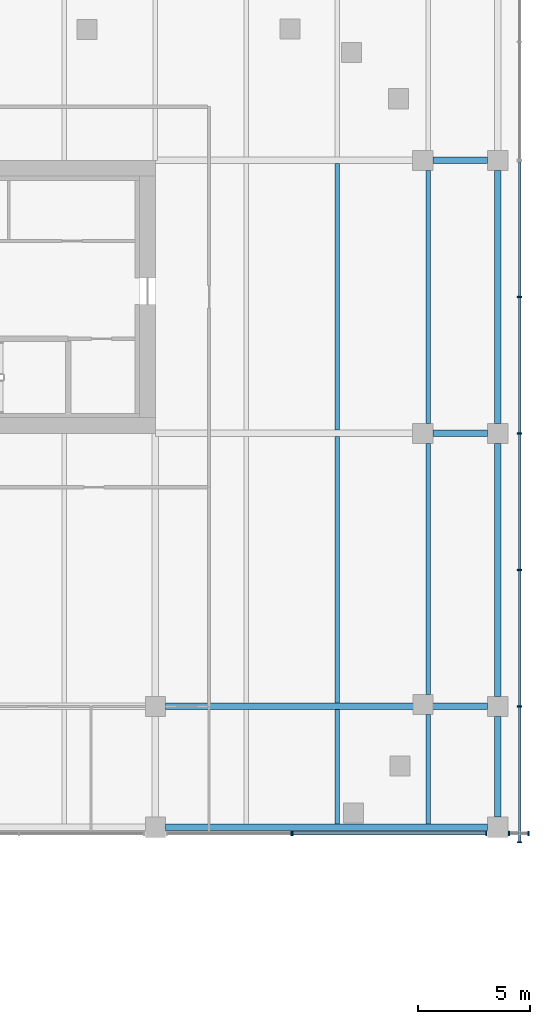
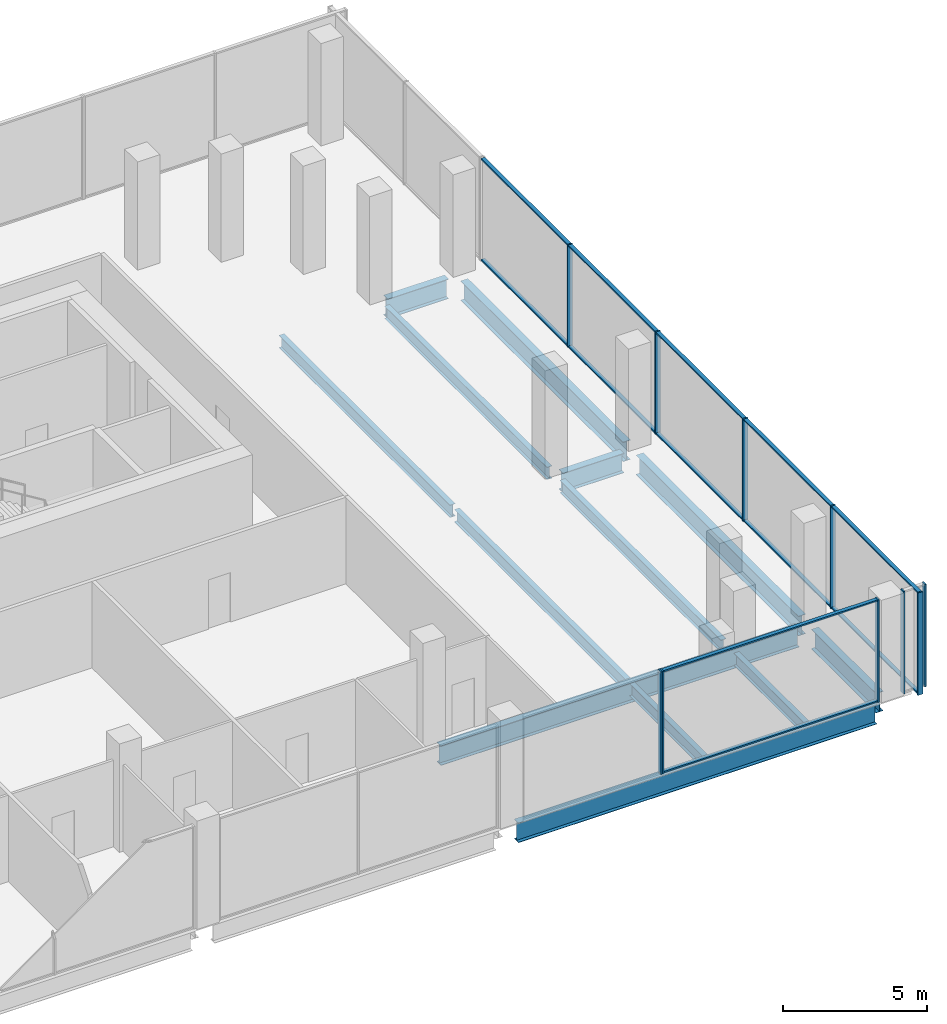
# One storey, part 14 of 33: 22 members, 13 beams, 4 elements without a shape of their own.
"""IFC4 building model written with IfcOpenShell, lengths in metres."""

import ifcopenshell
import ifcopenshell.guid

model = None  # the IFC model being written
_history = None  # IfcOwnerHistory: only IFC2X3 demands one
_inside = {}  # id of a spatial element -> (the spatial element, [elements in it])
_under = {}  # id of a project, library or spatial element -> (it, [spatial elements below it])
_declared = {}  # id of a project -> (the project, [libraries it declares])
_typed = {}  # id of a type object -> (the type object, [elements of that type])
_made_of = {}  # id of a material, layer set ... -> (it, [elements and type objects made of it])


def new_model(schema):
    """Start an empty IFC model of exactly this schema.

    Asked for "IFC4X3", IfcOpenShell would pick the latest addendum, in which some entities
    have other attributes; the version numbers below select the first issue.
    IFC2X3 requires an IfcOwnerHistory on every rooted entity: one is made here for all.
    """
    global model, _history
    if schema == "IFC4X3":
        model = ifcopenshell.file(schema_version=(4, 3, 0, 0))
    else:
        model = ifcopenshell.file(schema=schema)
    _inside.clear()
    _under.clear()
    _declared.clear()
    _typed.clear()
    _made_of.clear()
    _history = None
    if model.schema == "IFC2X3":
        org = make("IfcOrganization", Name="unknown")
        user = make(
            "IfcPersonAndOrganization",
            ThePerson=make("IfcPerson", FamilyName="unknown"),
            TheOrganization=org,
        )
        app = make(
            "IfcApplication",
            ApplicationDeveloper=org,
            Version="unknown",
            ApplicationFullName="unknown",
            ApplicationIdentifier="unknown",
        )
        _history = make(
            "IfcOwnerHistory",
            OwningUser=user,
            OwningApplication=app,
            ChangeAction="ADDED",
            CreationDate=0,
        )
    return model


def make(cls, **values):
    """One entity of the class cls with the attributes given. An attribute that is None is left unset."""
    return model.create_entity(
        cls, **{name: value for name, value in values.items() if value is not None}
    )


def rooted(cls, **values):
    """An entity with a GlobalId (a new one), such as an element, a storey or a relation."""
    return make(cls, GlobalId=ifcopenshell.guid.new(), OwnerHistory=_history, **values)


def si_unit(unit_type, name, prefix=None):
    """IfcSIUnit, for example si_unit("LENGTHUNIT", "METRE", prefix="MILLI")."""
    return make("IfcSIUnit", UnitType=unit_type, Prefix=prefix, Name=name)


def assignment(units):
    """IfcUnitAssignment: the units of a project."""
    return None if units is None else make("IfcUnitAssignment", Units=units)


def point(xyz):
    """IfcCartesianPoint."""
    return None if xyz is None else make("IfcCartesianPoint", Coordinates=xyz)


def direction(xyz):
    """IfcDirection."""
    return None if xyz is None else make("IfcDirection", DirectionRatios=xyz)


def frame(location, z_axis=None, x_axis=None):
    """IfcAxis2Placement3D, a coordinate frame: its origin and axes. An axis left out is left unset."""
    return make(
        "IfcAxis2Placement3D",
        Location=point(location),
        Axis=direction(z_axis),
        RefDirection=direction(x_axis),
    )


def frame_2d(location, x_axis=None):
    """IfcAxis2Placement2D, a coordinate frame in the plane: its origin and x axis."""
    return make(
        "IfcAxis2Placement2D", Location=point(location), RefDirection=direction(x_axis)
    )


def origin():
    """The frame at (0, 0, 0) with its axes left unset."""
    return frame((0.0, 0.0, 0.0))


def origin_2d():
    """The frame at (0, 0) in the plane with its x axis left unset."""
    return frame_2d((0.0, 0.0))


def place(relative_to, where):
    """IfcLocalPlacement: puts the frame where relative to a parent placement (None: the world)."""
    return make(
        "IfcLocalPlacement", PlacementRelTo=relative_to, RelativePlacement=where
    )


def context(
    kind, dimensions, precision=None, world=None, true_north=None, identifier=None
):
    """IfcGeometricRepresentationContext, for example the 3D "Model" context."""
    return make(
        "IfcGeometricRepresentationContext",
        ContextIdentifier=identifier,
        ContextType=kind,
        CoordinateSpaceDimension=dimensions,
        Precision=precision,
        WorldCoordinateSystem=world,
        TrueNorth=true_north,
    )


def subcontext(parent, identifier, kind, view, scale=None):
    """IfcGeometricRepresentationSubContext, for example "Body" below "Model"."""
    return make(
        "IfcGeometricRepresentationSubContext",
        ContextIdentifier=identifier,
        ContextType=kind,
        ParentContext=parent,
        TargetScale=scale,
        TargetView=view,
    )


def project(units=None, contexts=None):
    """IfcProject with its units and contexts."""
    return rooted(
        "IfcProject",
        Name="project",
        RepresentationContexts=contexts,
        UnitsInContext=assignment(units),
    )


def spatial(cls, under=None, at=None, **own):
    """A site, building, storey or space (cls), placed at a placement, below another one or the project."""
    s = rooted(cls, ObjectPlacement=at, **own)
    if under is not None:
        _under.setdefault(under.id(), (under, []))[1].append(s)
    return s


def profile(cls, at=None, kind="AREA", **sizes):
    """A parametric profile (cls). Its sizes go by their IFC names, for example OverallWidth=200.0."""
    return make(cls, ProfileType=kind, Position=at, **sizes)


def rectangle(**sizes):
    """IfcRectangleProfileDef."""
    return profile("IfcRectangleProfileDef", **sizes)


def i_section(**sizes):
    """IfcIShapeProfileDef."""
    return profile("IfcIShapeProfileDef", **sizes)


def extrude(swept, where, along, depth):
    """IfcExtrudedAreaSolid: the profile swept, set in the frame where, extruded along a direction by depth."""
    return make(
        "IfcExtrudedAreaSolid",
        SweptArea=swept,
        Position=where,
        ExtrudedDirection=direction(along),
        Depth=depth,
    )


def shape(context_of_items, identifier, shape_type, items):
    """IfcShapeRepresentation: the items that make up one representation, for example the "Body"."""
    return make(
        "IfcShapeRepresentation",
        ContextOfItems=context_of_items,
        RepresentationIdentifier=identifier,
        RepresentationType=shape_type,
        Items=items,
    )


def material(Name=None, Category=None):
    """IfcMaterial."""
    return make("IfcMaterial", Name=Name, Category=Category)


def material_profile(
    of_material, cross_section, Name=None, Category=None, Priority=None
):
    """IfcMaterialProfile: a cross section and its material."""
    return make(
        "IfcMaterialProfile",
        Name=Name,
        Material=of_material,
        Profile=cross_section,
        Priority=Priority,
        Category=Category,
    )


def profile_set(profiles, Name=None, composite=None):
    """IfcMaterialProfileSet."""
    return make(
        "IfcMaterialProfileSet",
        Name=Name,
        MaterialProfiles=profiles,
        CompositeProfile=composite,
    )


def made_of(thing, what):
    """Note that an element or type object is made of a material, layer set ...; save() writes the relation."""
    if what is not None:
        _made_of.setdefault(what.id(), (what, []))[1].append(thing)
    return thing


def type_object(cls, material=None, **own):
    """A type object (cls), such as IfcWallType, which elements share."""
    return made_of(rooted(cls, **own), material)


def element(
    cls,
    number,
    at=None,
    inside=None,
    cuts=None,
    type_object=None,
    material=None,
    context=None,
    identifier="Body",
    shape_type=None,
    held_by="IfcProductDefinitionShape",
    body=None,
    shapes=None,
    **own,
):
    """One element of the class cls, such as IfcWall. Its Tag is "e" and its number.

    at: its placement. inside: the storey or other place that contains it. cuts: it is an
    opening in that element (IfcRelVoidsElement). A single representation is given by context,
    identifier, shape_type and body (its items); several are given by shapes. held_by: the class
    of the entity that holds the representations. save() writes the other relations.
    """
    e = rooted(cls, Tag="e%d" % number, ObjectPlacement=at, **own)
    if body is not None:
        shapes = [shape(context, identifier, shape_type, body)]
    if shapes is not None:
        e.Representation = make(held_by, Representations=shapes)
    if inside is not None:
        _inside.setdefault(inside.id(), (inside, []))[1].append(e)
    if cuts is not None:
        rooted(
            "IfcRelVoidsElement", RelatingBuildingElement=cuts, RelatedOpeningElement=e
        )
    if type_object is not None:
        _typed.setdefault(type_object.id(), (type_object, []))[1].append(e)
    return made_of(e, material)


def aggregate(whole, parts):
    """IfcRelAggregates: a whole, such as a stair, and the parts it consists of."""
    return rooted("IfcRelAggregates", RelatingObject=whole, RelatedObjects=parts)


def save(model, path):
    """Write the relations noted so far, then the file.

    IfcRelAggregates (storeys below a building ...), IfcRelContainedInSpatialStructure (elements
    in a storey), IfcRelDefinesByType, IfcRelAssociatesMaterial and IfcRelDeclares: one each for
    every whole, place, type object, material and project.
    """
    for whole, parts in _under.values():
        aggregate(whole, parts)
    for where, things in _inside.values():
        rooted(
            "IfcRelContainedInSpatialStructure",
            RelatedElements=things,
            RelatingStructure=where,
        )
    for kind, things in _typed.values():
        rooted("IfcRelDefinesByType", RelatedObjects=things, RelatingType=kind)
    for what, things in _made_of.values():
        rooted("IfcRelAssociatesMaterial", RelatedObjects=things, RelatingMaterial=what)
    for by, libraries in _declared.values():
        rooted("IfcRelDeclares", RelatingContext=by, RelatedDefinitions=libraries)
    model.write(path)


model = new_model("IFC4")

# Units and contexts
model_context = context("Model", 3, precision=1e-05, world=origin(), true_north=direction((0.0, 1.0)))
body_context = subcontext(model_context, "Body", "Model", "MODEL_VIEW")
ifc_project = project(units=[si_unit("LENGTHUNIT", "METRE"), si_unit("AREAUNIT", "SQUARE_METRE"), si_unit("VOLUMEUNIT", "CUBIC_METRE"), si_unit("PLANEANGLEUNIT", "RADIAN"), si_unit("MASSUNIT", "GRAM", prefix="KILO")], contexts=[model_context])

# Site, building, storey
site_placement = place(None, origin())
site = spatial("IfcSite", under=ifc_project, at=site_placement, CompositionType="ELEMENT")
building_placement = place(site_placement, origin())
building = spatial("IfcBuilding", under=site, at=building_placement, Name="Tessera Gate Towers", CompositionType="ELEMENT")
storey_placement = place(building_placement, frame((0.0, 0.0, 12.0)))
storey = spatial("IfcBuildingStorey", under=building, at=storey_placement, Name="L02", CompositionType="ELEMENT", Elevation=12.0)

# Beams
ifc_material_1 = material(Name="Steel 350W", Category="steel")
ifc_material_profile_1 = material_profile(ifc_material_1, i_section(OverallWidth=0.2919921875, OverallDepth=0.8349609375, WebThickness=0.013916015625, FlangeThickness=0.018798828125, at=origin_2d()), Name="W840x176")
ifc_profile_set_1 = profile_set([ifc_material_profile_1], Name="Steel 350W")
beam_type_1 = type_object("IfcBeamType", Name="FLOOR GIRDER W840x176", PredefinedType="BEAM", material=ifc_profile_set_1)
for number, where, z_axis, x_axis, name in (
    (1, (122.449951171875, 19.0, -0.66748046875), (1.0, 0.0, 0.0), (0.0, 1.0, 0.0), "PD-GD-L02-369"),
    (2, (122.449951171875, 24.39990234375, -0.66748046875), (1.0, 0.0, 0.0), (0.0, 1.0, 0.0), "PD-GD-L02-388"),
):
    element("IfcBeam", number, at=place(storey_placement, frame(where, z_axis=z_axis, x_axis=x_axis)), inside=storey, type_object=beam_type_1, Name=name, PredefinedType="BEAM", context=body_context, shape_type="SweptSolid", body=[
        extrude(i_section(OverallWidth=0.2919921875, OverallDepth=0.8349609375, WebThickness=0.013916015625, FlangeThickness=0.018798828125, at=origin_2d()), origin(), (0.0, 0.0, 1.0), 14.400146484375),
    ])
for number, where, z_axis, x_axis, name in (
    (3, (134.39990234375, 36.60009765625, -0.66748046875), (1.0, 0.0, 0.0), (0.0, 1.0, 0.0), "PD-GD-L02-397"),
    (4, (134.39990234375, 48.800048828125, -0.66748046875), (1.0, 0.0, 0.0), (0.0, 1.0, 0.0), "PD-GD-L02-405"),
):
    element("IfcBeam", number, at=place(storey_placement, frame(where, z_axis=z_axis, x_axis=x_axis)), inside=storey, type_object=beam_type_1, Name=name, PredefinedType="BEAM", context=body_context, shape_type="SweptSolid", body=[
        extrude(i_section(OverallWidth=0.2919921875, OverallDepth=0.8349609375, WebThickness=0.013916015625, FlangeThickness=0.018798828125, at=origin_2d()), origin(), (0.0, 0.0, 1.0), 2.4501953125),
    ])
beam_1_placement = place(storey_placement, frame((137.300048828125, 19.449951171875, -0.66748046875), z_axis=(0.0, 1.0, 0.0), x_axis=(-1.0, 0.0, 0.0)))
element("IfcBeam", 5, at=beam_1_placement, inside=storey, type_object=beam_type_1, Name="PD-GD-L02-437", PredefinedType="BEAM", context=body_context, shape_type="SweptSolid", body=[
    extrude(i_section(OverallWidth=0.2919921875, OverallDepth=0.8349609375, WebThickness=0.013916015625, FlangeThickness=0.018798828125, at=origin_2d()), origin(), (0.0, 0.0, 1.0), 4.5),
])
beam_2_placement = place(storey_placement, frame((137.300048828125, 24.85009765625, -0.66748046875), z_axis=(0.0, 1.0, 0.0), x_axis=(-1.0, 0.0, 0.0)))
element("IfcBeam", 6, at=beam_2_placement, inside=storey, type_object=beam_type_1, Name="PD-GD-L02-438", PredefinedType="BEAM", context=body_context, shape_type="SweptSolid", body=[
    extrude(i_section(OverallWidth=0.2919921875, OverallDepth=0.8349609375, WebThickness=0.013916015625, FlangeThickness=0.018798828125, at=origin_2d()), origin(), (0.0, 0.0, 1.0), 11.2998046875),
])
beam_3_placement = place(storey_placement, frame((137.300048828125, 37.050048828125, -0.66748046875), z_axis=(0.0, 1.0, 0.0), x_axis=(-1.0, 0.0, 0.0)))
element("IfcBeam", 7, at=beam_3_placement, inside=storey, type_object=beam_type_1, Name="PD-GD-L02-439", PredefinedType="BEAM", context=body_context, shape_type="SweptSolid", body=[
    extrude(i_section(OverallWidth=0.2919921875, OverallDepth=0.8349609375, WebThickness=0.013916015625, FlangeThickness=0.018798828125, at=origin_2d()), origin(), (0.0, 0.0, 1.0), 11.300048828125),
])
ifc_material_2 = material(Name="Steel 350W", Category="steel")
ifc_material_profile_2 = material_profile(ifc_material_2, i_section(OverallWidth=0.208984375, OverallDepth=0.528076171875, WebThickness=0.009521484375, FlangeThickness=0.01318359375, at=origin_2d()), Name="W530x82")
ifc_profile_set_2 = profile_set([ifc_material_profile_2], Name="Steel 350W")
beam_type_2 = type_object("IfcBeamType", Name="FLOOR SECONDARY W530x82", PredefinedType="BEAM", material=ifc_profile_set_2)
beam_4_placement = place(storey_placement, frame((130.13330078125, 19.14599609375, -0.513916015625), z_axis=(0.0, 1.0, 0.0), x_axis=(-1.0, 0.0, 0.0)))
element("IfcBeam", 8, at=beam_4_placement, inside=storey, type_object=beam_type_2, Name="PD-BM-L02-547", PredefinedType="BEAM", context=body_context, shape_type="SweptSolid", body=[
    extrude(i_section(OverallWidth=0.208984375, OverallDepth=0.528076171875, WebThickness=0.009521484375, FlangeThickness=0.01318359375, at=origin_2d()), origin(), (0.0, 0.0, 1.0), 5.10791015625),
])
beam_5_placement = place(storey_placement, frame((130.13330078125, 24.5458984375, -0.513916015625), z_axis=(0.0, 1.0, 0.0), x_axis=(-1.0, 0.0, 0.0)))
element("IfcBeam", 9, at=beam_5_placement, inside=storey, type_object=beam_type_2, Name="PD-BM-L02-548", PredefinedType="BEAM", context=body_context, shape_type="SweptSolid", body=[
    extrude(i_section(OverallWidth=0.208984375, OverallDepth=0.528076171875, WebThickness=0.009521484375, FlangeThickness=0.01318359375, at=origin_2d()), origin(), (0.0, 0.0, 1.0), 11.908203125),
])
beam_6_placement = place(storey_placement, frame((130.13330078125, 36.74609375, -0.513916015625), z_axis=(0.0, 1.0, 0.0), x_axis=(-1.0, 0.0, 0.0)))
element("IfcBeam", 10, at=beam_6_placement, inside=storey, type_object=beam_type_2, Name="PD-BM-L02-549", PredefinedType="BEAM", context=body_context, shape_type="SweptSolid", body=[
    extrude(i_section(OverallWidth=0.208984375, OverallDepth=0.528076171875, WebThickness=0.009521484375, FlangeThickness=0.01318359375, at=origin_2d()), origin(), (0.0, 0.0, 1.0), 11.907958984375),
])
beam_7_placement = place(storey_placement, frame((134.199951171875, 19.14599609375, -0.513916015625), z_axis=(0.0, 1.0, 0.0), x_axis=(-1.0, 0.0, 0.0)))
element("IfcBeam", 11, at=beam_7_placement, inside=storey, type_object=beam_type_2, Name="PD-BM-L02-551", PredefinedType="BEAM", context=body_context, shape_type="SweptSolid", body=[
    extrude(i_section(OverallWidth=0.208984375, OverallDepth=0.528076171875, WebThickness=0.009521484375, FlangeThickness=0.01318359375, at=origin_2d()), origin(), (0.0, 0.0, 1.0), 4.89404296875),
])
beam_8_placement = place(storey_placement, frame((134.199951171875, 24.93994140625, -0.513916015625), z_axis=(0.0, 1.0, 0.0), x_axis=(-1.0, 0.0, 0.0)))
element("IfcBeam", 12, at=beam_8_placement, inside=storey, type_object=beam_type_2, Name="PD-BM-L02-552", PredefinedType="BEAM", context=body_context, shape_type="SweptSolid", body=[
    extrude(i_section(OverallWidth=0.208984375, OverallDepth=0.528076171875, WebThickness=0.009521484375, FlangeThickness=0.01318359375, at=origin_2d()), origin(), (0.0, 0.0, 1.0), 11.2099609375),
])
beam_9_placement = place(storey_placement, frame((134.199951171875, 37.050048828125, -0.513916015625), z_axis=(0.0, 1.0, 0.0), x_axis=(-1.0, 0.0, 0.0)))
element("IfcBeam", 13, at=beam_9_placement, inside=storey, type_object=beam_type_2, Name="PD-BM-L02-553", PredefinedType="BEAM", context=body_context, shape_type="SweptSolid", body=[
    extrude(i_section(OverallWidth=0.208984375, OverallDepth=0.528076171875, WebThickness=0.009521484375, FlangeThickness=0.01318359375, at=origin_2d()), origin(), (0.0, 0.0, 1.0), 11.300048828125),
])

# Curtain wall, member
ifc_material_3 = material(Name="Aluminium frame", Category="aluminium")
curtain_wall_type = type_object("IfcCurtainWallType", Name="CW-S1 podium storefront", PredefinedType="NOTDEFINED", material=ifc_material_3)
curtain_wall_1_placement = place(storey_placement, origin())
curtain_wall_1 = element("IfcCurtainWall", 14, at=curtain_wall_1_placement, inside=storey, type_object=curtain_wall_type, Name="Curtain wall podium storefront 0168", PredefinedType="NOTDEFINED")
ifc_material_4 = material(Name="Aluminium frame", Category="aluminium")
ifc_material_profile_3 = material_profile(ifc_material_4, rectangle(XDim=0.06005859375, YDim=0.199951171875, at=origin_2d()), Name="AL 60x200")
ifc_profile_set_3 = profile_set([ifc_material_profile_3], Name="Aluminium frame")
member_type_1 = type_object("IfcMemberType", Name="MU-S1 mullion 60x200", PredefinedType="MULLION", material=ifc_profile_set_3)
member_1_placement = place(storey_placement, frame((128.070068359375, 18.72509765625, 0.0), z_axis=(0.0, 0.0, 1.0), x_axis=(1.0, 0.0, 0.0)))
member_1 = element("IfcMember", 15, at=member_1_placement, type_object=member_type_1, Name="PD-CW1-0168 mullion 2", PredefinedType="MULLION", context=body_context, shape_type="SweptSolid", body=[
    extrude(rectangle(XDim=0.06005859375, YDim=0.199951171875, at=origin_2d()), origin(), (0.0, 0.0, 1.0), 4.35009765625),
])
aggregate(curtain_wall_1, [member_1])

# Curtain wall, members
curtain_wall_2_placement = place(storey_placement, origin())
curtain_wall_2 = element("IfcCurtainWall", 16, at=curtain_wall_2_placement, inside=storey, type_object=curtain_wall_type, Name="Curtain wall podium storefront 0173", PredefinedType="NOTDEFINED")
member_2_placement = place(storey_placement, frame((128.1298828125, 18.72509765625, 0.0), z_axis=(0.0, 0.0, 1.0), x_axis=(1.0, 0.0, 0.0)))
member_2 = element("IfcMember", 17, at=member_2_placement, type_object=member_type_1, Name="PD-CW1-0173 mullion 1", PredefinedType="MULLION", context=body_context, shape_type="SweptSolid", body=[
    extrude(rectangle(XDim=0.06005859375, YDim=0.199951171875, at=origin_2d()), origin(), (0.0, 0.0, 1.0), 4.35009765625),
])
member_3_placement = place(storey_placement, frame((136.7900390625, 18.72509765625, 0.0), z_axis=(0.0, 0.0, 1.0), x_axis=(1.0, 0.0, 0.0)))
member_3 = element("IfcMember", 18, at=member_3_placement, type_object=member_type_1, Name="PD-CW1-0173 mullion 2", PredefinedType="MULLION", context=body_context, shape_type="SweptSolid", body=[
    extrude(rectangle(XDim=0.06005859375, YDim=0.199951171875, at=origin_2d()), origin(), (0.0, 0.0, 1.0), 4.35009765625),
])

curtain_wall_3_placement = place(storey_placement, origin())
curtain_wall_3 = element("IfcCurtainWall", 19, at=curtain_wall_3_placement, inside=storey, type_object=curtain_wall_type, Name="Curtain wall podium storefront 0174", PredefinedType="NOTDEFINED")
member_4_placement = place(storey_placement, frame((137.81005859375, 18.72509765625, 0.0), z_axis=(0.0, 0.0, 1.0), x_axis=(1.0, 0.0, 0.0)))
member_4 = element("IfcMember", 20, at=member_4_placement, type_object=member_type_1, Name="PD-CW1-0174 mullion 1", PredefinedType="MULLION", context=body_context, shape_type="SweptSolid", body=[
    extrude(rectangle(XDim=0.06005859375, YDim=0.199951171875, at=origin_2d()), origin(), (0.0, 0.0, 1.0), 4.35009765625),
])
member_5_placement = place(storey_placement, frame((138.669921875, 18.72509765625, 0.0), z_axis=(0.0, 0.0, 1.0), x_axis=(1.0, 0.0, 0.0)))
member_5 = element("IfcMember", 21, at=member_5_placement, type_object=member_type_1, Name="PD-CW1-0174 mullion 2", PredefinedType="MULLION", context=body_context, shape_type="SweptSolid", body=[
    extrude(rectangle(XDim=0.06005859375, YDim=0.199951171875, at=origin_2d()), origin(), (0.0, 0.0, 1.0), 4.35009765625),
])
aggregate(curtain_wall_3, [member_4, member_5])

curtain_wall_4_placement = place(storey_placement, origin())
curtain_wall_4 = element("IfcCurtainWall", 22, at=curtain_wall_4_placement, inside=storey, type_object=curtain_wall_type, Name="Curtain wall podium storefront 0180", PredefinedType="NOTDEFINED")
member_6_placement = place(storey_placement, frame((138.27490234375, 18.330078125, 0.0), z_axis=(0.0, 0.0, 1.0), x_axis=(0.0, 1.0, 0.0)))
member_6 = element("IfcMember", 23, at=member_6_placement, type_object=member_type_1, Name="PD-CW1-0180 mullion 1", PredefinedType="MULLION", context=body_context, shape_type="SweptSolid", body=[
    extrude(rectangle(XDim=0.06005859375, YDim=0.199951171875, at=origin_2d()), origin(), (0.0, 0.0, 1.0), 4.35009765625),
])
member_7_placement = place(storey_placement, frame((138.27490234375, 24.39990234375, 0.0), z_axis=(0.0, 0.0, 1.0), x_axis=(0.0, 1.0, 0.0)))
member_7 = element("IfcMember", 24, at=member_7_placement, type_object=member_type_1, Name="PD-CW1-0180 mullion 2", PredefinedType="MULLION", context=body_context, shape_type="SweptSolid", body=[
    extrude(rectangle(XDim=0.06005859375, YDim=0.199951171875, at=origin_2d()), origin(), (0.0, 0.0, 1.0), 4.35009765625),
])
member_8_placement = place(storey_placement, frame((138.27490234375, 30.5, 0.0), z_axis=(0.0, 0.0, 1.0), x_axis=(0.0, 1.0, 0.0)))
member_8 = element("IfcMember", 25, at=member_8_placement, type_object=member_type_1, Name="PD-CW1-0180 mullion 3", PredefinedType="MULLION", context=body_context, shape_type="SweptSolid", body=[
    extrude(rectangle(XDim=0.06005859375, YDim=0.199951171875, at=origin_2d()), origin(), (0.0, 0.0, 1.0), 4.35009765625),
])
member_9_placement = place(storey_placement, frame((138.27490234375, 36.60009765625, 0.0), z_axis=(0.0, 0.0, 1.0), x_axis=(0.0, 1.0, 0.0)))
member_9 = element("IfcMember", 26, at=member_9_placement, type_object=member_type_1, Name="PD-CW1-0180 mullion 4", PredefinedType="MULLION", context=body_context, shape_type="SweptSolid", body=[
    extrude(rectangle(XDim=0.06005859375, YDim=0.199951171875, at=origin_2d()), origin(), (0.0, 0.0, 1.0), 4.35009765625),
])
member_10_placement = place(storey_placement, frame((138.27490234375, 42.699951171875, 0.0), z_axis=(0.0, 0.0, 1.0), x_axis=(0.0, 1.0, 0.0)))
member_10 = element("IfcMember", 27, at=member_10_placement, type_object=member_type_1, Name="PD-CW1-0180 mullion 5", PredefinedType="MULLION", context=body_context, shape_type="SweptSolid", body=[
    extrude(rectangle(XDim=0.06005859375, YDim=0.199951171875, at=origin_2d()), origin(), (0.0, 0.0, 1.0), 4.35009765625),
])

# Member
ifc_material_5 = material(Name="Aluminium frame", Category="aluminium")
ifc_material_profile_4 = material_profile(ifc_material_5, rectangle(XDim=0.14990234375, YDim=0.06005859375, at=origin_2d()), Name="AL 60x150")
ifc_profile_set_4 = profile_set([ifc_material_profile_4], Name="Aluminium frame")
member_type_2 = type_object("IfcMemberType", Name="TR-S1 transom 60x150", PredefinedType="USERDEFINED", material=ifc_profile_set_4)
member_11_placement = place(storey_placement, frame((128.159912109375, 18.72509765625, 0.030029296875), z_axis=(1.0, 0.0, 0.0), x_axis=(0.0, 1.0, 0.0)))
member_11 = element("IfcMember", 28, at=member_11_placement, type_object=member_type_2, Name="PD-CW1-0173 transom 1.1", ObjectType="TRANSOM", PredefinedType="USERDEFINED", context=body_context, shape_type="SweptSolid", body=[
    extrude(rectangle(XDim=0.14990234375, YDim=0.06005859375, at=origin_2d()), origin(), (0.0, 0.0, 1.0), 8.60009765625),
])

member_12_placement = place(storey_placement, frame((128.159912109375, 18.72509765625, 4.320068359375), z_axis=(1.0, 0.0, 0.0), x_axis=(0.0, 1.0, 0.0)))
member_12 = element("IfcMember", 29, at=member_12_placement, type_object=member_type_2, Name="PD-CW1-0173 transom 1.2", ObjectType="TRANSOM", PredefinedType="USERDEFINED", context=body_context, shape_type="SweptSolid", body=[
    extrude(rectangle(XDim=0.14990234375, YDim=0.06005859375, at=origin_2d()), origin(), (0.0, 0.0, 1.0), 8.60009765625),
])

aggregate(curtain_wall_2, [member_2, member_3, member_11, member_12])

member_13_placement = place(storey_placement, frame((138.27490234375, 18.360107421875, 0.030029296875), z_axis=(0.0, 1.0, 0.0), x_axis=(-1.0, 0.0, 0.0)))
member_13 = element("IfcMember", 30, at=member_13_placement, type_object=member_type_2, Name="PD-CW1-0180 transom 1.1", ObjectType="TRANSOM", PredefinedType="USERDEFINED", context=body_context, shape_type="SweptSolid", body=[
    extrude(rectangle(XDim=0.14990234375, YDim=0.06005859375, at=origin_2d()), origin(), (0.0, 0.0, 1.0), 6.010009765625),
])

member_14_placement = place(storey_placement, frame((138.27490234375, 18.360107421875, 4.320068359375), z_axis=(0.0, 1.0, 0.0), x_axis=(-1.0, 0.0, 0.0)))
member_14 = element("IfcMember", 31, at=member_14_placement, type_object=member_type_2, Name="PD-CW1-0180 transom 1.2", ObjectType="TRANSOM", PredefinedType="USERDEFINED", context=body_context, shape_type="SweptSolid", body=[
    extrude(rectangle(XDim=0.14990234375, YDim=0.06005859375, at=origin_2d()), origin(), (0.0, 0.0, 1.0), 6.010009765625),
])

member_15_placement = place(storey_placement, frame((138.27490234375, 24.429931640625, 0.030029296875), z_axis=(0.0, 1.0, 0.0), x_axis=(-1.0, 0.0, 0.0)))
member_15 = element("IfcMember", 32, at=member_15_placement, type_object=member_type_2, Name="PD-CW1-0180 transom 2.1", ObjectType="TRANSOM", PredefinedType="USERDEFINED", context=body_context, shape_type="SweptSolid", body=[
    extrude(rectangle(XDim=0.14990234375, YDim=0.06005859375, at=origin_2d()), origin(), (0.0, 0.0, 1.0), 6.0400390625),
])

member_16_placement = place(storey_placement, frame((138.27490234375, 24.429931640625, 4.320068359375), z_axis=(0.0, 1.0, 0.0), x_axis=(-1.0, 0.0, 0.0)))
member_16 = element("IfcMember", 33, at=member_16_placement, type_object=member_type_2, Name="PD-CW1-0180 transom 2.2", ObjectType="TRANSOM", PredefinedType="USERDEFINED", context=body_context, shape_type="SweptSolid", body=[
    extrude(rectangle(XDim=0.14990234375, YDim=0.06005859375, at=origin_2d()), origin(), (0.0, 0.0, 1.0), 6.0400390625),
])

member_17_placement = place(storey_placement, frame((138.27490234375, 30.530029296875, 0.030029296875), z_axis=(0.0, 1.0, 0.0), x_axis=(-1.0, 0.0, 0.0)))
member_17 = element("IfcMember", 34, at=member_17_placement, type_object=member_type_2, Name="PD-CW1-0180 transom 3.1", ObjectType="TRANSOM", PredefinedType="USERDEFINED", context=body_context, shape_type="SweptSolid", body=[
    extrude(rectangle(XDim=0.14990234375, YDim=0.06005859375, at=origin_2d()), origin(), (0.0, 0.0, 1.0), 6.0400390625),
])

member_18_placement = place(storey_placement, frame((138.27490234375, 30.530029296875, 4.320068359375), z_axis=(0.0, 1.0, 0.0), x_axis=(-1.0, 0.0, 0.0)))
member_18 = element("IfcMember", 35, at=member_18_placement, type_object=member_type_2, Name="PD-CW1-0180 transom 3.2", ObjectType="TRANSOM", PredefinedType="USERDEFINED", context=body_context, shape_type="SweptSolid", body=[
    extrude(rectangle(XDim=0.14990234375, YDim=0.06005859375, at=origin_2d()), origin(), (0.0, 0.0, 1.0), 6.0400390625),
])

member_19_placement = place(storey_placement, frame((138.27490234375, 36.6298828125, 0.030029296875), z_axis=(0.0, 1.0, 0.0), x_axis=(-1.0, 0.0, 0.0)))
member_19 = element("IfcMember", 36, at=member_19_placement, type_object=member_type_2, Name="PD-CW1-0180 transom 4.1", ObjectType="TRANSOM", PredefinedType="USERDEFINED", context=body_context, shape_type="SweptSolid", body=[
    extrude(rectangle(XDim=0.14990234375, YDim=0.06005859375, at=origin_2d()), origin(), (0.0, 0.0, 1.0), 6.0400390625),
])

member_20_placement = place(storey_placement, frame((138.27490234375, 36.6298828125, 4.320068359375), z_axis=(0.0, 1.0, 0.0), x_axis=(-1.0, 0.0, 0.0)))
member_20 = element("IfcMember", 37, at=member_20_placement, type_object=member_type_2, Name="PD-CW1-0180 transom 4.2", ObjectType="TRANSOM", PredefinedType="USERDEFINED", context=body_context, shape_type="SweptSolid", body=[
    extrude(rectangle(XDim=0.14990234375, YDim=0.06005859375, at=origin_2d()), origin(), (0.0, 0.0, 1.0), 6.0400390625),
])

member_21_placement = place(storey_placement, frame((138.27490234375, 42.72998046875, 0.030029296875), z_axis=(0.0, 1.0, 0.0), x_axis=(-1.0, 0.0, 0.0)))
member_21 = element("IfcMember", 38, at=member_21_placement, type_object=member_type_2, Name="PD-CW1-0180 transom 5.1", ObjectType="TRANSOM", PredefinedType="USERDEFINED", context=body_context, shape_type="SweptSolid", body=[
    extrude(rectangle(XDim=0.14990234375, YDim=0.06005859375, at=origin_2d()), origin(), (0.0, 0.0, 1.0), 6.010009765625),
])

member_22_placement = place(storey_placement, frame((138.27490234375, 42.72998046875, 4.320068359375), z_axis=(0.0, 1.0, 0.0), x_axis=(-1.0, 0.0, 0.0)))
member_22 = element("IfcMember", 39, at=member_22_placement, type_object=member_type_2, Name="PD-CW1-0180 transom 5.2", ObjectType="TRANSOM", PredefinedType="USERDEFINED", context=body_context, shape_type="SweptSolid", body=[
    extrude(rectangle(XDim=0.14990234375, YDim=0.06005859375, at=origin_2d()), origin(), (0.0, 0.0, 1.0), 6.010009765625),
])

aggregate(curtain_wall_4, [member_6, member_7, member_8, member_9, member_10, member_13, member_14, member_15, member_16, member_17, member_18, member_19, member_20, member_21, member_22])

save(model, "model.ifc")
